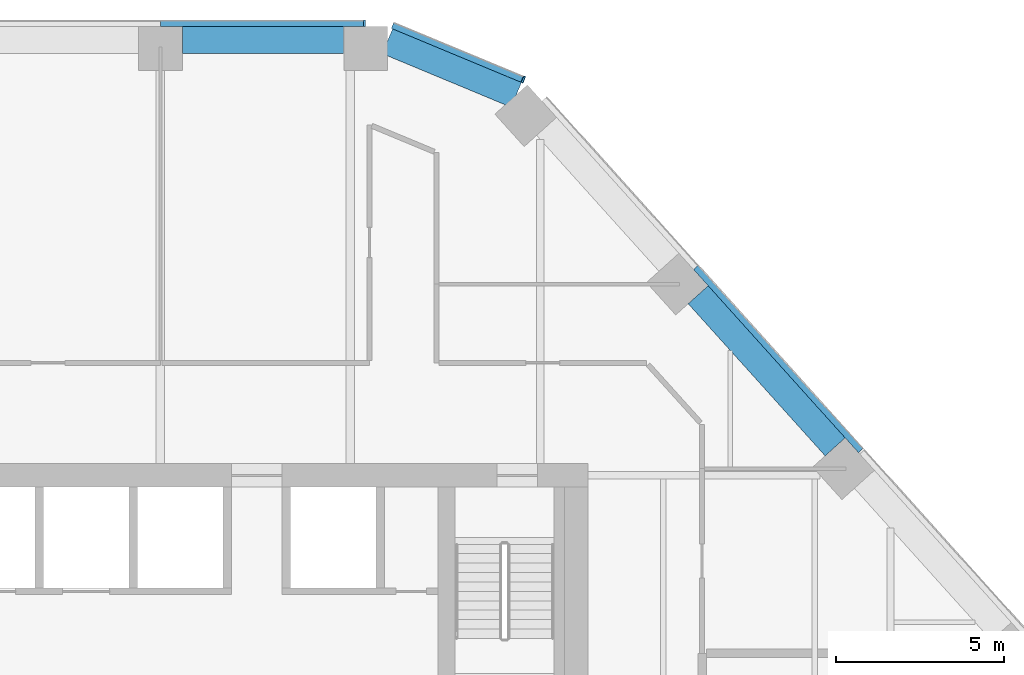
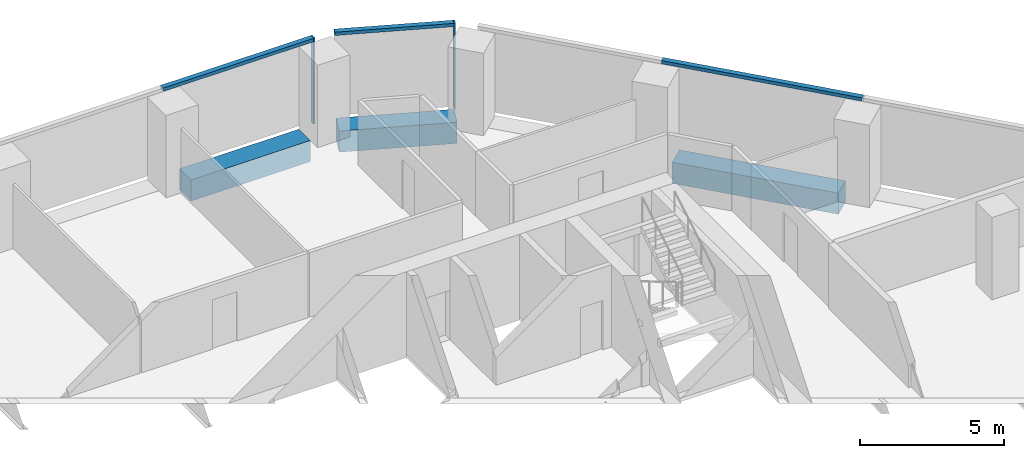
# One storey, part 9 of 16: 5 members, 3 beams, 3 elements without a shape of their own.
"""IFC4 building model written with IfcOpenShell, lengths in metres."""

from ifc_helpers import new_model, si_unit, direction, frame, origin, origin_2d, place, context, subcontext, project, spatial, rectangle, extrude, material, layer, layer_set, material_profile, profile_set, type_object, element, aggregate, save


model = new_model("IFC4")

# Units and contexts
model_context = context("Model", 3, precision=1e-05, world=origin(), true_north=direction((0.0, 1.0)))
body_context = subcontext(model_context, "Body", "Model", "MODEL_VIEW")
ifc_project = project(units=[si_unit("LENGTHUNIT", "METRE"), si_unit("AREAUNIT", "SQUARE_METRE"), si_unit("VOLUMEUNIT", "CUBIC_METRE"), si_unit("PLANEANGLEUNIT", "RADIAN"), si_unit("MASSUNIT", "GRAM", prefix="KILO")], contexts=[model_context])

# Site, building, storey
site_placement = place(None, origin())
site = spatial("IfcSite", under=ifc_project, at=site_placement, CompositionType="ELEMENT")
building_placement = place(site_placement, origin())
building = spatial("IfcBuilding", under=site, at=building_placement, Name="Isthmus Gate Tower", CompositionType="ELEMENT")
storey_placement = place(building_placement, frame((0.0, 0.0, 192.699951171875)))
storey = spatial("IfcBuildingStorey", under=building, at=storey_placement, Name="L48", CompositionType="ELEMENT", Elevation=192.699951171875)

# Curtain wall, member
ifc_material_1 = material(Name="Aluminium, pale champagne anodised", Category="aluminium")
ifc_layer = layer(ifc_material_1, 0.199951171875)
ifc_layer_set = layer_set([ifc_layer], Name="CW-1 UNITISED CURTAIN WALL 200 DEEP")
curtain_wall_type = type_object("IfcCurtainWallType", Name="CW-1 UNITISED CURTAIN WALL 200 DEEP", PredefinedType="NOTDEFINED", material=ifc_layer_set)
curtain_wall_1_placement = place(storey_placement, origin())
curtain_wall_1 = element("IfcCurtainWall", 1, at=curtain_wall_1_placement, inside=storey, type_object=curtain_wall_type, Name="CW-1 N L48", PredefinedType="NOTDEFINED")
ifc_material_2 = material(Name="Aluminium, pale champagne anodised", Category="aluminium")
ifc_material_profile_1 = material_profile(ifc_material_2, rectangle(XDim=0.06005859375, YDim=0.199951171875, at=origin_2d()), Name="60x200")
ifc_profile_set_1 = profile_set([ifc_material_profile_1], Name="Aluminium, pale champagne anodised")
member_type_1 = type_object("IfcMemberType", Name="CW-1 MULLION 60 X 200", PredefinedType="MULLION", material=ifc_profile_set_1)
member_1_placement = place(storey_placement, frame((8.358642578125, 28.10009765625, 0.0), z_axis=(0.0, 0.0, 1.0), x_axis=(-1.0, 0.0, 0.0)))
member_1 = element("IfcMember", 2, at=member_1_placement, type_object=member_type_1, Name="CW-1 mullion", PredefinedType="MULLION", context=body_context, shape_type="SweptSolid", body=[
    extrude(rectangle(XDim=0.06005859375, YDim=0.199951171875, at=origin_2d()), origin(), (0.0, 0.0, 1.0), 3.650146484375),
])

curtain_wall_2_placement = place(storey_placement, origin())
curtain_wall_2 = element("IfcCurtainWall", 3, at=curtain_wall_2_placement, inside=storey, type_object=curtain_wall_type, Name="CW-1 NE-N L48", PredefinedType="NOTDEFINED")
member_2_placement = place(storey_placement, frame((13.080810546875, 26.427490234375, 0.0), z_axis=(0.0, 0.0, 1.0), x_axis=(-0.923353128387, 0.383951820282, 0.0)))
member_2 = element("IfcMember", 4, at=member_2_placement, type_object=member_type_1, Name="CW-1 mullion", PredefinedType="MULLION", context=body_context, shape_type="SweptSolid", body=[
    extrude(rectangle(XDim=0.06005859375, YDim=0.199951171875, at=origin_2d()), origin(), (0.0, 0.0, 1.0), 3.650146484375),
])

# Member
ifc_material_3 = material(Name="Aluminium, pale champagne anodised", Category="aluminium")
ifc_material_profile_2 = material_profile(ifc_material_3, rectangle(XDim=0.199951171875, YDim=0.139892578125, at=origin_2d()), Name="200x140")
ifc_profile_set_2 = profile_set([ifc_material_profile_2], Name="Aluminium, pale champagne anodised")
member_type_2 = type_object("IfcMemberType", Name="CW-1 TRANSOM 200 X 140", PredefinedType="USERDEFINED", material=ifc_profile_set_2)
member_3_placement = place(storey_placement, frame((8.32861328125, 28.10009765625, 3.580078125), z_axis=(-1.0, 0.0, 0.0), x_axis=(0.0, -1.0, 0.0)))
member_3 = element("IfcMember", 5, at=member_3_placement, type_object=member_type_2, Name="CW-1 transom", ObjectType="TRANSOM", PredefinedType="USERDEFINED", context=body_context, shape_type="SweptSolid", body=[
    extrude(rectangle(XDim=0.199951171875, YDim=0.139892578125, at=origin_2d()), origin(), (0.0, 0.0, 1.0), 6.040283203125),
])

aggregate(curtain_wall_1, [member_1, member_3])

# Curtain wall, member
curtain_wall_3_placement = place(storey_placement, origin())
curtain_wall_3 = element("IfcCurtainWall", 6, at=curtain_wall_3_placement, inside=storey, type_object=curtain_wall_type, Name="CW-1 NE L48", PredefinedType="NOTDEFINED")
member_4_placement = place(storey_placement, frame((23.126708984375, 15.3955078125, 3.580078125), z_axis=(-0.669137671884, 0.743138463589, 0.0), x_axis=(-0.743138463589, -0.669137671884, 0.0)))
member_4 = element("IfcMember", 7, at=member_4_placement, type_object=member_type_2, Name="CW-1 transom", ObjectType="TRANSOM", PredefinedType="USERDEFINED", context=body_context, shape_type="SweptSolid", body=[
    extrude(rectangle(XDim=0.199951171875, YDim=0.139892578125, at=origin_2d()), origin(), (0.0, 0.0, 1.0), 7.330810546875),
])
aggregate(curtain_wall_3, [member_4])

# Member
member_5_placement = place(storey_placement, frame((13.05322265625, 26.43896484375, 3.580078125), z_axis=(-0.923358236369, 0.383939536033, 0.0), x_axis=(-0.383939536033, -0.923358236369, 0.0)))
member_5 = element("IfcMember", 8, at=member_5_placement, type_object=member_type_2, Name="CW-1 transom", ObjectType="TRANSOM", PredefinedType="USERDEFINED", context=body_context, shape_type="SweptSolid", body=[
    extrude(rectangle(XDim=0.199951171875, YDim=0.139892578125, at=origin_2d()), origin(), (0.0, 0.0, 1.0), 4.181640625),
])

aggregate(curtain_wall_2, [member_2, member_5])

# Beams
ifc_material_4 = material(Name="Concrete f'c 60 MPa", Category="concrete")
ifc_material_profile_3 = material_profile(ifc_material_4, rectangle(XDim=0.800048828125, YDim=0.89990234375, at=origin_2d()), Name="RC 800X900")
ifc_profile_set_3 = profile_set([ifc_material_profile_3], Name="Concrete f'c 60 MPa")
beam_type = type_object("IfcBeamType", Name="RC SPANDREL 800 X 900", PredefinedType="SPANDREL", material=ifc_profile_set_3)
beam_1_placement = place(storey_placement, frame((9.03857421875, 27.56689453125, -0.449951171875), z_axis=(0.923342835736, -0.383976571805, 0.0), x_axis=(0.383976571805, 0.923342835736, 0.0)))
element("IfcBeam", 9, at=beam_1_placement, inside=storey, type_object=beam_type, Name="str-spandrel-L48-00", PredefinedType="SPANDREL", context=body_context, shape_type="SweptSolid", body=[
    extrude(rectangle(XDim=0.800048828125, YDim=0.89990234375, at=origin_2d()), origin(), (0.0, 0.0, 1.0), 4.152587890625),
])
beam_2_placement = place(storey_placement, frame((18.284912109375, 20.025634765625, -0.449951171875), z_axis=(0.669119737495, -0.743154611703, 0.0), x_axis=(0.743154611703, 0.669119737495, 0.0)))
element("IfcBeam", 10, at=beam_2_placement, inside=storey, type_object=beam_type, Name="str-spandrel-L48-02", PredefinedType="SPANDREL", context=body_context, shape_type="SweptSolid", body=[
    extrude(rectangle(XDim=0.800048828125, YDim=0.89990234375, at=origin_2d()), origin(), (0.0, 0.0, 1.0), 6.0908203125),
])
beam_3_placement = place(storey_placement, frame((2.9384765625, 27.60009765625, -0.449951171875), z_axis=(1.0, 0.0, 0.0), x_axis=(0.0, 1.0, 0.0)))
element("IfcBeam", 11, at=beam_3_placement, inside=storey, type_object=beam_type, Name="str-spandrel-L48-29", PredefinedType="SPANDREL", context=body_context, shape_type="SweptSolid", body=[
    extrude(rectangle(XDim=0.800048828125, YDim=0.89990234375, at=origin_2d()), origin(), (0.0, 0.0, 1.0), 4.800048828125),
])

save(model, "model.ifc")
